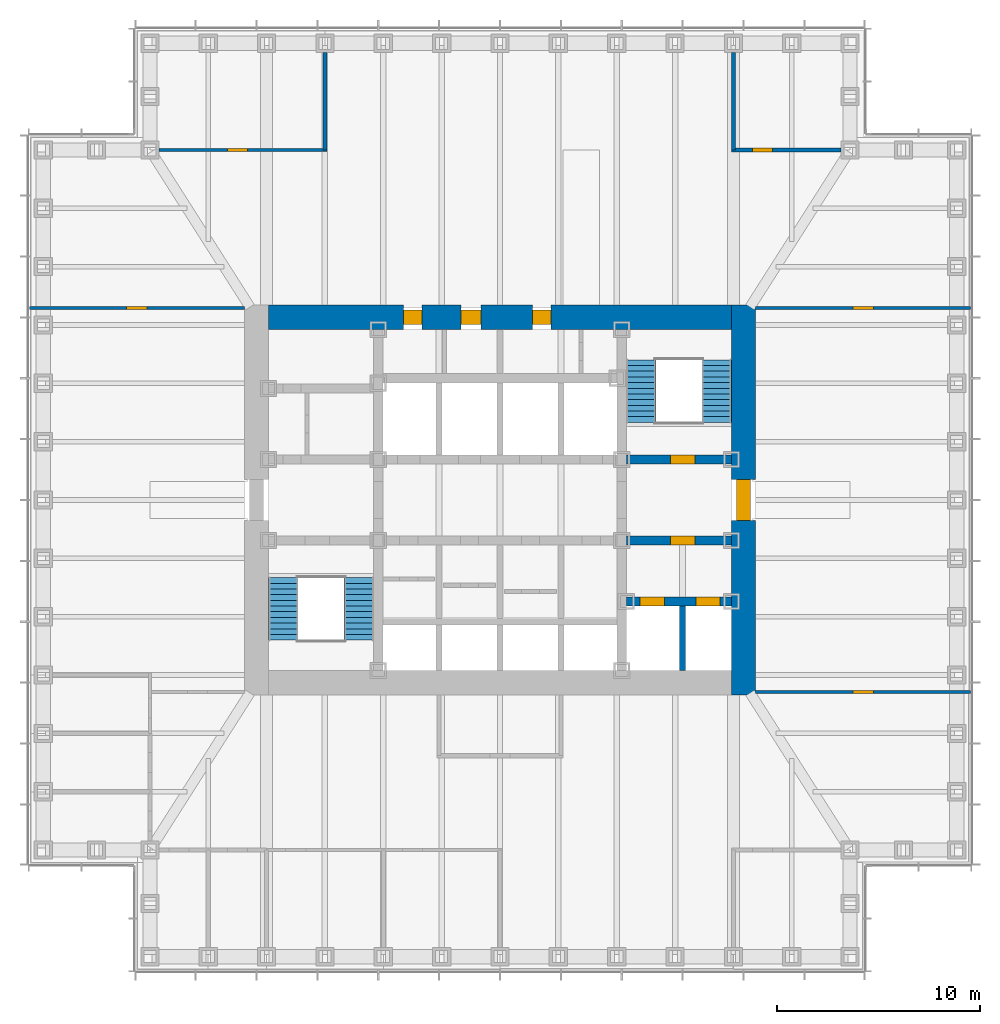
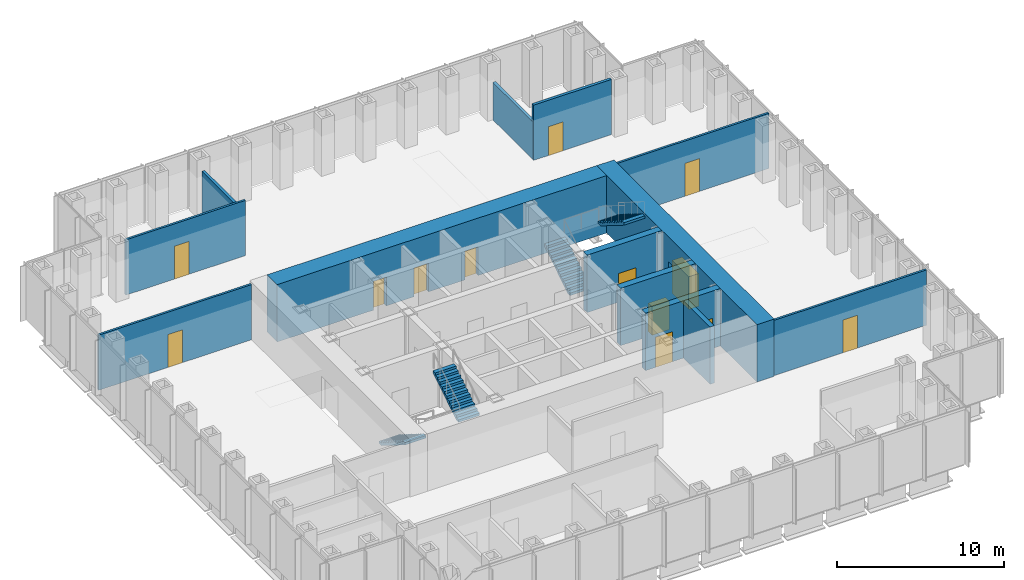
# One storey, part 10 of 16: 13 doors, 13 walls, 4 stair flights, 13 openings, 2 elements without a shape of their own.
"""IFC4 building model written with IfcOpenShell, lengths in metres."""

import ifcopenshell
import ifcopenshell.guid

model = None  # the IFC model being written
_history = None  # IfcOwnerHistory: only IFC2X3 demands one
_inside = {}  # id of a spatial element -> (the spatial element, [elements in it])
_under = {}  # id of a project, library or spatial element -> (it, [spatial elements below it])
_declared = {}  # id of a project -> (the project, [libraries it declares])
_typed = {}  # id of a type object -> (the type object, [elements of that type])
_made_of = {}  # id of a material, layer set ... -> (it, [elements and type objects made of it])


def new_model(schema):
    """Start an empty IFC model of exactly this schema.

    Asked for "IFC4X3", IfcOpenShell would pick the latest addendum, in which some entities
    have other attributes; the version numbers below select the first issue.
    IFC2X3 requires an IfcOwnerHistory on every rooted entity: one is made here for all.
    """
    global model, _history
    if schema == "IFC4X3":
        model = ifcopenshell.file(schema_version=(4, 3, 0, 0))
    else:
        model = ifcopenshell.file(schema=schema)
    _inside.clear()
    _under.clear()
    _declared.clear()
    _typed.clear()
    _made_of.clear()
    _history = None
    if model.schema == "IFC2X3":
        org = make("IfcOrganization", Name="unknown")
        user = make(
            "IfcPersonAndOrganization",
            ThePerson=make("IfcPerson", FamilyName="unknown"),
            TheOrganization=org,
        )
        app = make(
            "IfcApplication",
            ApplicationDeveloper=org,
            Version="unknown",
            ApplicationFullName="unknown",
            ApplicationIdentifier="unknown",
        )
        _history = make(
            "IfcOwnerHistory",
            OwningUser=user,
            OwningApplication=app,
            ChangeAction="ADDED",
            CreationDate=0,
        )
    return model


def make(cls, **values):
    """One entity of the class cls with the attributes given. An attribute that is None is left unset."""
    return model.create_entity(
        cls, **{name: value for name, value in values.items() if value is not None}
    )


def rooted(cls, **values):
    """An entity with a GlobalId (a new one), such as an element, a storey or a relation."""
    return make(cls, GlobalId=ifcopenshell.guid.new(), OwnerHistory=_history, **values)


def si_unit(unit_type, name, prefix=None):
    """IfcSIUnit, for example si_unit("LENGTHUNIT", "METRE", prefix="MILLI")."""
    return make("IfcSIUnit", UnitType=unit_type, Prefix=prefix, Name=name)


def assignment(units):
    """IfcUnitAssignment: the units of a project."""
    return None if units is None else make("IfcUnitAssignment", Units=units)


def point(xyz):
    """IfcCartesianPoint."""
    return None if xyz is None else make("IfcCartesianPoint", Coordinates=xyz)


def direction(xyz):
    """IfcDirection."""
    return None if xyz is None else make("IfcDirection", DirectionRatios=xyz)


def frame(location, z_axis=None, x_axis=None):
    """IfcAxis2Placement3D, a coordinate frame: its origin and axes. An axis left out is left unset."""
    return make(
        "IfcAxis2Placement3D",
        Location=point(location),
        Axis=direction(z_axis),
        RefDirection=direction(x_axis),
    )


def frame_2d(location, x_axis=None):
    """IfcAxis2Placement2D, a coordinate frame in the plane: its origin and x axis."""
    return make(
        "IfcAxis2Placement2D", Location=point(location), RefDirection=direction(x_axis)
    )


def origin():
    """The frame at (0, 0, 0) with its axes left unset."""
    return frame((0.0, 0.0, 0.0))


def place(relative_to, where):
    """IfcLocalPlacement: puts the frame where relative to a parent placement (None: the world)."""
    return make(
        "IfcLocalPlacement", PlacementRelTo=relative_to, RelativePlacement=where
    )


def context(
    kind, dimensions, precision=None, world=None, true_north=None, identifier=None
):
    """IfcGeometricRepresentationContext, for example the 3D "Model" context."""
    return make(
        "IfcGeometricRepresentationContext",
        ContextIdentifier=identifier,
        ContextType=kind,
        CoordinateSpaceDimension=dimensions,
        Precision=precision,
        WorldCoordinateSystem=world,
        TrueNorth=true_north,
    )


def subcontext(parent, identifier, kind, view, scale=None):
    """IfcGeometricRepresentationSubContext, for example "Body" below "Model"."""
    return make(
        "IfcGeometricRepresentationSubContext",
        ContextIdentifier=identifier,
        ContextType=kind,
        ParentContext=parent,
        TargetScale=scale,
        TargetView=view,
    )


def project(units=None, contexts=None):
    """IfcProject with its units and contexts."""
    return rooted(
        "IfcProject",
        Name="project",
        RepresentationContexts=contexts,
        UnitsInContext=assignment(units),
    )


def spatial(cls, under=None, at=None, **own):
    """A site, building, storey or space (cls), placed at a placement, below another one or the project."""
    s = rooted(cls, ObjectPlacement=at, **own)
    if under is not None:
        _under.setdefault(under.id(), (under, []))[1].append(s)
    return s


def polyline(points):
    """IfcPolyline through the points."""
    return make("IfcPolyline", Points=[point(p) for p in points])


def profile(cls, at=None, kind="AREA", **sizes):
    """A parametric profile (cls). Its sizes go by their IFC names, for example OverallWidth=200.0."""
    return make(cls, ProfileType=kind, Position=at, **sizes)


def rectangle(**sizes):
    """IfcRectangleProfileDef."""
    return profile("IfcRectangleProfileDef", **sizes)


def outline(outer, holes=None, kind="AREA"):
    """IfcArbitraryClosedProfileDef: a profile drawn as a closed curve; with holes, ...WithVoids."""
    if holes is None:
        return make("IfcArbitraryClosedProfileDef", ProfileType=kind, OuterCurve=outer)
    return make(
        "IfcArbitraryProfileDefWithVoids",
        ProfileType=kind,
        OuterCurve=outer,
        InnerCurves=holes,
    )


def extrude(swept, where, along, depth):
    """IfcExtrudedAreaSolid: the profile swept, set in the frame where, extruded along a direction by depth."""
    return make(
        "IfcExtrudedAreaSolid",
        SweptArea=swept,
        Position=where,
        ExtrudedDirection=direction(along),
        Depth=depth,
    )


def shape(context_of_items, identifier, shape_type, items):
    """IfcShapeRepresentation: the items that make up one representation, for example the "Body"."""
    return make(
        "IfcShapeRepresentation",
        ContextOfItems=context_of_items,
        RepresentationIdentifier=identifier,
        RepresentationType=shape_type,
        Items=items,
    )


def material(Name=None, Category=None):
    """IfcMaterial."""
    return make("IfcMaterial", Name=Name, Category=Category)


def layer(
    of_material, thickness, ventilated=None, Name=None, Category=None, Priority=None
):
    """IfcMaterialLayer: one layer of a wall or slab, of a material (None: an air gap)."""
    return make(
        "IfcMaterialLayer",
        Material=of_material,
        LayerThickness=thickness,
        IsVentilated=ventilated,
        Name=Name,
        Category=Category,
        Priority=Priority,
    )


def layer_set(layers, Name=None):
    """IfcMaterialLayerSet."""
    return make("IfcMaterialLayerSet", MaterialLayers=layers, LayerSetName=Name)


def made_of(thing, what):
    """Note that an element or type object is made of a material, layer set ...; save() writes the relation."""
    if what is not None:
        _made_of.setdefault(what.id(), (what, []))[1].append(thing)
    return thing


def type_object(cls, material=None, **own):
    """A type object (cls), such as IfcWallType, which elements share."""
    return made_of(rooted(cls, **own), material)


def element(
    cls,
    number,
    at=None,
    inside=None,
    cuts=None,
    type_object=None,
    material=None,
    context=None,
    identifier="Body",
    shape_type=None,
    held_by="IfcProductDefinitionShape",
    body=None,
    shapes=None,
    **own,
):
    """One element of the class cls, such as IfcWall. Its Tag is "e" and its number.

    at: its placement. inside: the storey or other place that contains it. cuts: it is an
    opening in that element (IfcRelVoidsElement). A single representation is given by context,
    identifier, shape_type and body (its items); several are given by shapes. held_by: the class
    of the entity that holds the representations. save() writes the other relations.
    """
    e = rooted(cls, Tag="e%d" % number, ObjectPlacement=at, **own)
    if body is not None:
        shapes = [shape(context, identifier, shape_type, body)]
    if shapes is not None:
        e.Representation = make(held_by, Representations=shapes)
    if inside is not None:
        _inside.setdefault(inside.id(), (inside, []))[1].append(e)
    if cuts is not None:
        rooted(
            "IfcRelVoidsElement", RelatingBuildingElement=cuts, RelatedOpeningElement=e
        )
    if type_object is not None:
        _typed.setdefault(type_object.id(), (type_object, []))[1].append(e)
    return made_of(e, material)


def fill(opening, filler):
    """IfcRelFillsElement: the door or window that sits in an opening."""
    return rooted(
        "IfcRelFillsElement",
        RelatingOpeningElement=opening,
        RelatedBuildingElement=filler,
    )


def aggregate(whole, parts):
    """IfcRelAggregates: a whole, such as a stair, and the parts it consists of."""
    return rooted("IfcRelAggregates", RelatingObject=whole, RelatedObjects=parts)


def save(model, path):
    """Write the relations noted so far, then the file.

    IfcRelAggregates (storeys below a building ...), IfcRelContainedInSpatialStructure (elements
    in a storey), IfcRelDefinesByType, IfcRelAssociatesMaterial and IfcRelDeclares: one each for
    every whole, place, type object, material and project.
    """
    for whole, parts in _under.values():
        aggregate(whole, parts)
    for where, things in _inside.values():
        rooted(
            "IfcRelContainedInSpatialStructure",
            RelatedElements=things,
            RelatingStructure=where,
        )
    for kind, things in _typed.values():
        rooted("IfcRelDefinesByType", RelatedObjects=things, RelatingType=kind)
    for what, things in _made_of.values():
        rooted("IfcRelAssociatesMaterial", RelatedObjects=things, RelatingMaterial=what)
    for by, libraries in _declared.values():
        rooted("IfcRelDeclares", RelatingContext=by, RelatedDefinitions=libraries)
    model.write(path)


model = new_model("IFC4")

# Units and contexts
model_context = context("Model", 3, precision=1e-05, world=origin(), true_north=direction((0.0, 1.0)))
body_context = subcontext(model_context, "Body", "Model", "MODEL_VIEW")
ifc_project = project(units=[si_unit("LENGTHUNIT", "METRE"), si_unit("AREAUNIT", "SQUARE_METRE"), si_unit("VOLUMEUNIT", "CUBIC_METRE"), si_unit("PLANEANGLEUNIT", "RADIAN"), si_unit("MASSUNIT", "GRAM", prefix="KILO")], contexts=[model_context])

# Site, building, storey
site_placement = place(None, origin())
site = spatial("IfcSite", under=ifc_project, at=site_placement, CompositionType="ELEMENT")
building_placement = place(site_placement, origin())
building = spatial("IfcBuilding", under=site, at=building_placement, Name="Daluyong Arena Tower", CompositionType="ELEMENT")
storey_placement = place(building_placement, frame((0.0, 0.0, 120.699951171875)))
storey = spatial("IfcBuildingStorey", under=building, at=storey_placement, Name="L26", CompositionType="ELEMENT", Elevation=120.699951171875)

# Wall, openings, doors
ifc_material_1 = material(Name="Concrete fc' 45 MPa", Category="concrete")
ifc_layer_1 = layer(ifc_material_1, 0.449951171875)
ifc_layer_set_1 = layer_set([ifc_layer_1], Name="Concrete fc' 45 MPa")
wall_type_1 = type_object("IfcWallType", Name="Core inner wall 450", PredefinedType="SHEAR", material=ifc_layer_set_1)
wall_1_placement = place(storey_placement, frame((62.22509765625, 75.0, 0.0), z_axis=(0.0, 0.0, 1.0), x_axis=(1.0, 0.0, 0.0)))
wall_1 = element("IfcWall", 1, at=wall_1_placement, inside=storey, type_object=wall_type_1, Name="core inner wall at L26", PredefinedType="SHEAR", context=body_context, shape_type="SweptSolid", body=[
    extrude(rectangle(XDim=5.1748046875, YDim=0.449951171875, at=frame_2d((2.58740234375, 0.0))), origin(), (0.0, 0.0, 1.0), 4.199951171875),
])
opening_1_placement = place(wall_1_placement, frame((0.675048828125, 0.0, 0.0)))
opening_1 = element("IfcOpeningElement", 2, at=opening_1_placement, cuts=wall_1, Name="Opening 26026", PredefinedType="OPENING", context=body_context, shape_type="SweptSolid", body=[
    extrude(rectangle(XDim=1.199951171875, YDim=2.199951171875, at=frame_2d((0.60009765625, 1.10009765625))), frame((0.0, 0.23486328125, 0.0), z_axis=(0.0, -1.0, 0.0), x_axis=(1.0, 0.0, 0.0)), (0.0, 0.0, 1.0), 0.469970703125),
])
opening_2_placement = place(wall_1_placement, frame((3.425048828125, 0.0, 0.0)))
opening_2 = element("IfcOpeningElement", 3, at=opening_2_placement, cuts=wall_1, Name="Opening 26027", PredefinedType="OPENING", context=body_context, shape_type="SweptSolid", body=[
    extrude(rectangle(XDim=1.199951171875, YDim=2.199951171875, at=frame_2d((0.60009765625, 1.10009765625))), frame((0.0, 0.23486328125, 0.0), z_axis=(0.0, -1.0, 0.0), x_axis=(1.0, 0.0, 0.0)), (0.0, 0.0, 1.0), 0.469970703125),
])
ifc_material_2 = material(Name="Steel door, fire rated", Category="steel")
door_type_1 = type_object("IfcDoorType", Name="Firefighting lift landing door 1200", OperationType="SLIDING_TO_LEFT", PredefinedType="DOOR", material=ifc_material_2)
door_1_placement = place(opening_1_placement, origin())
door_1 = element("IfcDoor", 4, at=door_1_placement, inside=storey, type_object=door_type_1, Name="firefighting lift landing door F1 26026", OperationType="SLIDING_TO_LEFT", OverallHeight=2.199951171875, OverallWidth=1.199951171875, PredefinedType="DOOR", context=body_context, shape_type="SweptSolid", body=[
    extrude(rectangle(XDim=1.199951171875, YDim=2.199951171875, at=frame_2d((0.60009765625, 1.10009765625))), frame((0.0, 0.224609375, 0.0), z_axis=(0.0, -1.0, 0.0), x_axis=(1.0, 0.0, 0.0)), (0.0, 0.0, 1.0), 0.449462890625),
])
fill(opening_1, door_1)
door_2_placement = place(opening_2_placement, origin())
door_2 = element("IfcDoor", 5, at=door_2_placement, inside=storey, type_object=door_type_1, Name="firefighting lift landing door F2 26027", OperationType="SLIDING_TO_LEFT", OverallHeight=2.199951171875, OverallWidth=1.199951171875, PredefinedType="DOOR", context=body_context, shape_type="SweptSolid", body=[
    extrude(rectangle(XDim=1.199951171875, YDim=2.199951171875, at=frame_2d((0.60009765625, 1.10009765625))), frame((0.0, 0.224609375, 0.0), z_axis=(0.0, -1.0, 0.0), x_axis=(1.0, 0.0, 0.0)), (0.0, 0.0, 1.0), 0.449462890625),
])
fill(opening_2, door_2)

# Wall, opening, door
wall_2_placement = place(storey_placement, frame((62.22509765625, 78.0, 0.0), z_axis=(0.0, 0.0, 1.0), x_axis=(1.0, 0.0, 0.0)))
wall_2 = element("IfcWall", 6, at=wall_2_placement, inside=storey, type_object=wall_type_1, Name="core inner wall at L26", PredefinedType="SHEAR", context=body_context, shape_type="SweptSolid", body=[
    extrude(rectangle(XDim=5.1748046875, YDim=0.449951171875, at=frame_2d((2.58740234375, 0.0))), origin(), (0.0, 0.0, 1.0), 4.199951171875),
])
opening_3_placement = place(wall_2_placement, frame((2.175048828125, 0.0, 0.0)))
opening_3 = element("IfcOpeningElement", 7, at=opening_3_placement, cuts=wall_2, Name="Opening 26021", PredefinedType="OPENING", context=body_context, shape_type="SweptSolid", body=[
    extrude(rectangle(XDim=1.199951171875, YDim=2.10009765625, at=frame_2d((0.60009765625, 1.050048828125))), frame((0.0, 0.23486328125, 0.0), z_axis=(0.0, -1.0, 0.0), x_axis=(1.0, 0.0, 0.0)), (0.0, 0.0, 1.0), 0.469970703125),
])
ifc_material_3 = material(Name="Steel door, fire rated", Category="steel")
door_type_2 = type_object("IfcDoorType", Name="Firefighting lobby door 1200", OperationType="SINGLE_SWING_RIGHT", PredefinedType="DOOR", material=ifc_material_3)
door_3_placement = place(opening_3_placement, origin())
door_3 = element("IfcDoor", 8, at=door_3_placement, inside=storey, type_object=door_type_2, Name="firefighting lobby door 26021", OperationType="SINGLE_SWING_RIGHT", OverallHeight=2.10009765625, OverallWidth=1.199951171875, PredefinedType="DOOR", context=body_context, shape_type="SweptSolid", body=[
    extrude(rectangle(XDim=1.199951171875, YDim=2.10009765625, at=frame_2d((0.60009765625, 1.050048828125))), frame((0.0, 0.224609375, 0.0), z_axis=(0.0, -1.0, 0.0), x_axis=(1.0, 0.0, 0.0)), (0.0, 0.0, 1.0), 0.449462890625),
])
fill(opening_3, door_3)

wall_3_placement = place(storey_placement, frame((62.22509765625, 82.0, 0.0), z_axis=(0.0, 0.0, 1.0), x_axis=(1.0, 0.0, 0.0)))
wall_3 = element("IfcWall", 9, at=wall_3_placement, inside=storey, type_object=wall_type_1, Name="core inner wall at L26", PredefinedType="SHEAR", context=body_context, shape_type="SweptSolid", body=[
    extrude(rectangle(XDim=5.1748046875, YDim=0.449951171875, at=frame_2d((2.58740234375, 0.0))), origin(), (0.0, 0.0, 1.0), 4.199951171875),
])
opening_4_placement = place(wall_3_placement, frame((2.175048828125, 0.0, 0.0)))
opening_4 = element("IfcOpeningElement", 10, at=opening_4_placement, cuts=wall_3, Name="Opening 26016", PredefinedType="OPENING", context=body_context, shape_type="SweptSolid", body=[
    extrude(rectangle(XDim=1.199951171875, YDim=2.10009765625, at=frame_2d((0.60009765625, 1.050048828125))), frame((0.0, 0.23486328125, 0.0), z_axis=(0.0, -1.0, 0.0), x_axis=(1.0, 0.0, 0.0)), (0.0, 0.0, 1.0), 0.469970703125),
])
ifc_material_4 = material(Name="Steel door, fire rated", Category="steel")
door_type_3 = type_object("IfcDoorType", Name="Stair door 1200", OperationType="SINGLE_SWING_LEFT", PredefinedType="DOOR", material=ifc_material_4)
door_4_placement = place(opening_4_placement, origin())
door_4 = element("IfcDoor", 11, at=door_4_placement, inside=storey, type_object=door_type_3, Name="stair B door 26016", OperationType="SINGLE_SWING_LEFT", OverallHeight=2.10009765625, OverallWidth=1.199951171875, PredefinedType="DOOR", context=body_context, shape_type="SweptSolid", body=[
    extrude(rectangle(XDim=1.199951171875, YDim=2.10009765625, at=frame_2d((0.60009765625, 1.050048828125))), frame((0.0, 0.224609375, 0.0), z_axis=(0.0, -1.0, 0.0), x_axis=(1.0, 0.0, 0.0)), (0.0, 0.0, 1.0), 0.449462890625),
])
fill(opening_4, door_4)

ifc_material_5 = material(Name="Concrete fc' 60 MPa", Category="concrete")
ifc_layer_2 = layer(ifc_material_5, 1.199951171875)
ifc_layer_set_2 = layer_set([ifc_layer_2], Name="Concrete fc' 60 MPa")
wall_type_2 = type_object("IfcWallType", Name="Core wall 1200", PredefinedType="SHEAR", material=ifc_layer_set_2)
wall_4_placement = place(storey_placement, frame((68.0, 70.39990234375, 0.0), z_axis=(0.0, 0.0, 1.0), x_axis=(0.0, 1.0, 0.0)))
wall_4 = element("IfcWall", 12, at=wall_4_placement, inside=storey, type_object=wall_type_2, Name="core wall at L26", PredefinedType="SHEAR", context=body_context, shape_type="SweptSolid", body=[
    extrude(rectangle(XDim=19.2001953125, YDim=1.199951171875, at=frame_2d((9.60009765625, 0.0))), origin(), (0.0, 0.0, 1.0), 4.199951171875),
])
opening_5_placement = place(wall_4_placement, frame((8.60009765625, 0.0, 0.0)))
opening_5 = element("IfcOpeningElement", 13, at=opening_5_placement, cuts=wall_4, Name="Opening 26018", PredefinedType="OPENING", context=body_context, shape_type="SweptSolid", body=[
    extrude(rectangle(XDim=2.0, YDim=2.39990234375, at=frame_2d((1.0, 1.199951171875))), frame((0.0, 0.60986328125, 0.0), z_axis=(0.0, -1.0, 0.0), x_axis=(1.0, 0.0, 0.0)), (0.0, 0.0, 1.0), 1.219970703125),
])
ifc_material_6 = material(Name="Steel door, fire rated", Category="steel")
door_type_4 = type_object("IfcDoorType", Name="Core lobby double door 2000", OperationType="DOUBLE_DOOR_SINGLE_SWING", PredefinedType="DOOR", material=ifc_material_6)
door_5_placement = place(opening_5_placement, origin())
door_5 = element("IfcDoor", 14, at=door_5_placement, inside=storey, type_object=door_type_4, Name="core lobby door east 26018", OperationType="DOUBLE_DOOR_SINGLE_SWING", OverallHeight=2.39990234375, OverallWidth=2.0, PredefinedType="DOOR", context=body_context, shape_type="SweptSolid", body=[
    extrude(rectangle(XDim=2.0, YDim=2.39990234375, at=frame_2d((1.0, 1.199951171875))), frame((0.0, 0.35009765625, 0.0), z_axis=(0.0, -1.0, 0.0), x_axis=(1.0, 0.0, 0.0)), (0.0, 0.0, 1.0), 0.699951171875),
])
fill(opening_5, door_5)

# Wall, openings, doors
wall_5_placement = place(storey_placement, frame((44.60009765625, 89.0, 0.0), z_axis=(0.0, 0.0, 1.0), x_axis=(1.0, 0.0, 0.0)))
wall_5 = element("IfcWall", 15, at=wall_5_placement, inside=storey, type_object=wall_type_2, Name="core wall at L26", PredefinedType="SHEAR", context=body_context, shape_type="SweptSolid", body=[
    extrude(rectangle(XDim=22.7998046875, YDim=1.199951171875, at=frame_2d((11.39990234375, 0.0))), origin(), (0.0, 0.0, 1.0), 4.199951171875),
])
opening_6_placement = place(wall_5_placement, frame((9.47509765625, 0.0, 0.0)))
opening_6 = element("IfcOpeningElement", 16, at=opening_6_placement, cuts=wall_5, Name="Opening 26004", PredefinedType="OPENING", context=body_context, shape_type="SweptSolid", body=[
    extrude(rectangle(XDim=1.0, YDim=2.10009765625, at=frame_2d((0.5, 1.050048828125))), frame((0.0, 0.60986328125, 0.0), z_axis=(0.0, -1.0, 0.0), x_axis=(1.0, 0.0, 0.0)), (0.0, 0.0, 1.0), 1.219970703125),
])
opening_7_placement = place(wall_5_placement, frame((6.64990234375, 0.0, 0.0)))
opening_7 = element("IfcOpeningElement", 17, at=opening_7_placement, cuts=wall_5, Name="Opening 26005", PredefinedType="OPENING", context=body_context, shape_type="SweptSolid", body=[
    extrude(rectangle(XDim=0.89990234375, YDim=2.10009765625, at=frame_2d((0.449951171875, 1.050048828125))), frame((0.0, 0.60986328125, 0.0), z_axis=(0.0, -1.0, 0.0), x_axis=(1.0, 0.0, 0.0)), (0.0, 0.0, 1.0), 1.219970703125),
])
opening_8_placement = place(wall_5_placement, frame((13.012451171875, 0.0, 0.0)))
opening_8 = element("IfcOpeningElement", 18, at=opening_8_placement, cuts=wall_5, Name="Opening 26006", PredefinedType="OPENING", context=body_context, shape_type="SweptSolid", body=[
    extrude(rectangle(XDim=0.89990234375, YDim=2.10009765625, at=frame_2d((0.449951171875, 1.050048828125))), frame((0.0, 0.60986328125, 0.0), z_axis=(0.0, -1.0, 0.0), x_axis=(1.0, 0.0, 0.0)), (0.0, 0.0, 1.0), 1.219970703125),
])
ifc_material_7 = material(Name="Timber door", Category="wood")
door_type_5 = type_object("IfcDoorType", Name="Accessible toilet door 1000", OperationType="SINGLE_SWING_LEFT", PredefinedType="DOOR", material=ifc_material_7)
door_6_placement = place(opening_6_placement, origin())
door_6 = element("IfcDoor", 19, at=door_6_placement, inside=storey, type_object=door_type_5, Name="accessible toilet door 26004", OperationType="SINGLE_SWING_LEFT", OverallHeight=2.10009765625, OverallWidth=1.0, PredefinedType="DOOR", context=body_context, shape_type="SweptSolid", body=[
    extrude(rectangle(XDim=1.0, YDim=2.10009765625, at=frame_2d((0.5, 1.050048828125))), frame((0.0, 0.35009765625, 0.0), z_axis=(0.0, -1.0, 0.0), x_axis=(1.0, 0.0, 0.0)), (0.0, 0.0, 1.0), 0.699951171875),
])
fill(opening_6, door_6)
ifc_material_8 = material(Name="Steel door, fire rated", Category="steel")
door_type_6 = type_object("IfcDoorType", Name="Core room door 900", OperationType="SINGLE_SWING_LEFT", PredefinedType="DOOR", material=ifc_material_8)
door_7_placement = place(opening_7_placement, origin())
door_7 = element("IfcDoor", 20, at=door_7_placement, inside=storey, type_object=door_type_6, Name="staff pantry door 26005", OperationType="SINGLE_SWING_LEFT", OverallHeight=2.10009765625, OverallWidth=0.89990234375, PredefinedType="DOOR", context=body_context, shape_type="SweptSolid", body=[
    extrude(rectangle(XDim=0.89990234375, YDim=2.10009765625, at=frame_2d((0.449951171875, 1.050048828125))), frame((0.0, 0.35009765625, 0.0), z_axis=(0.0, -1.0, 0.0), x_axis=(1.0, 0.0, 0.0)), (0.0, 0.0, 1.0), 0.699951171875),
])
fill(opening_7, door_7)
ifc_material_9 = material(Name="Steel door, fire rated", Category="steel")
door_type_7 = type_object("IfcDoorType", Name="Core store door 900", OperationType="SINGLE_SWING_LEFT", PredefinedType="DOOR", material=ifc_material_9)
door_8_placement = place(opening_8_placement, origin())
door_8 = element("IfcDoor", 21, at=door_8_placement, inside=storey, type_object=door_type_7, Name="cleaner's store door 26006", OperationType="SINGLE_SWING_LEFT", OverallHeight=2.10009765625, OverallWidth=0.89990234375, PredefinedType="DOOR", context=body_context, shape_type="SweptSolid", body=[
    extrude(rectangle(XDim=0.89990234375, YDim=2.10009765625, at=frame_2d((0.449951171875, 1.050048828125))), frame((0.0, 0.35009765625, 0.0), z_axis=(0.0, -1.0, 0.0), x_axis=(1.0, 0.0, 0.0)), (0.0, 0.0, 1.0), 0.699951171875),
])
fill(opening_8, door_8)

# Wall, opening, door
ifc_material_10 = material(Name="Glazed aluminium partition", Category="aluminium")
ifc_layer_3 = layer(ifc_material_10, 0.14990234375)
ifc_layer_set_3 = layer_set([ifc_layer_3], Name="Glazed aluminium partition")
wall_type_3 = type_object("IfcWallType", Name="Glazed partition 150", PredefinedType="PARTITIONING", material=ifc_layer_set_3)
wall_6_placement = place(storey_placement, frame((68.60009765625, 70.550048828125, 0.0), z_axis=(0.0, 0.0, 1.0), x_axis=(1.0, 0.0, 0.0)))
wall_6 = element("IfcWall", 22, at=wall_6_placement, inside=storey, type_object=wall_type_3, Name="glazed partition at L26", PredefinedType="PARTITIONING", context=body_context, shape_type="SweptSolid", body=[
    extrude(rectangle(XDim=10.58984375, YDim=0.14990234375, at=frame_2d((5.294921875, 0.0))), origin(), (0.0, 0.0, 1.0), 4.0400390625),
])
opening_9_placement = place(wall_6_placement, frame((4.794921875, 0.0, 0.0)))
opening_9 = element("IfcOpeningElement", 23, at=opening_9_placement, cuts=wall_6, Name="Opening 26041", PredefinedType="OPENING", context=body_context, shape_type="SweptSolid", body=[
    extrude(rectangle(XDim=1.0, YDim=2.39990234375, at=frame_2d((0.5, 1.199951171875))), frame((0.0, 0.0849609375, 0.0), z_axis=(0.0, -1.0, 0.0), x_axis=(1.0, 0.0, 0.0)), (0.0, 0.0, 1.0), 0.169921875),
])
ifc_material_11 = material(Name="Glazed aluminium door", Category="aluminium")
door_type_8 = type_object("IfcDoorType", Name="Meeting room glazed door 1000", OperationType="SINGLE_SWING_RIGHT", PredefinedType="DOOR", material=ifc_material_11)
door_9_placement = place(opening_9_placement, origin())
door_9 = element("IfcDoor", 24, at=door_9_placement, inside=storey, type_object=door_type_8, Name="team area screen door 26041", OperationType="SINGLE_SWING_RIGHT", OverallHeight=2.39990234375, OverallWidth=1.0, PredefinedType="DOOR", context=body_context, shape_type="SweptSolid", body=[
    extrude(rectangle(XDim=1.0, YDim=2.39990234375, at=frame_2d((0.5, 1.199951171875))), frame((0.0, 0.07470703125, 0.0), z_axis=(0.0, -1.0, 0.0), x_axis=(1.0, 0.0, 0.0)), (0.0, 0.0, 1.0), 0.1494140625),
])
fill(opening_9, door_9)

wall_7_placement = place(storey_placement, frame((32.81005859375, 89.449951171875, 0.0), z_axis=(0.0, 0.0, 1.0), x_axis=(1.0, 0.0, 0.0)))
wall_7 = element("IfcWall", 25, at=wall_7_placement, inside=storey, type_object=wall_type_3, Name="glazed partition at L26", PredefinedType="PARTITIONING", context=body_context, shape_type="SweptSolid", body=[
    extrude(rectangle(XDim=10.58984375, YDim=0.14990234375, at=frame_2d((5.294921875, 0.0))), origin(), (0.0, 0.0, 1.0), 4.0400390625),
])
opening_10_placement = place(wall_7_placement, frame((4.794921875, 0.0, 0.0)))
opening_10 = element("IfcOpeningElement", 26, at=opening_10_placement, cuts=wall_7, Name="Opening 26040", PredefinedType="OPENING", context=body_context, shape_type="SweptSolid", body=[
    extrude(rectangle(XDim=1.0, YDim=2.39990234375, at=frame_2d((0.5, 1.199951171875))), frame((0.0, 0.0849609375, 0.0), z_axis=(0.0, -1.0, 0.0), x_axis=(1.0, 0.0, 0.0)), (0.0, 0.0, 1.0), 0.169921875),
])
door_10_placement = place(opening_10_placement, origin())
door_10 = element("IfcDoor", 27, at=door_10_placement, inside=storey, type_object=door_type_8, Name="team area screen door 26040", OperationType="SINGLE_SWING_RIGHT", OverallHeight=2.39990234375, OverallWidth=1.0, PredefinedType="DOOR", context=body_context, shape_type="SweptSolid", body=[
    extrude(rectangle(XDim=1.0, YDim=2.39990234375, at=frame_2d((0.5, 1.199951171875))), frame((0.0, 0.07470703125, 0.0), z_axis=(0.0, -1.0, 0.0), x_axis=(1.0, 0.0, 0.0)), (0.0, 0.0, 1.0), 0.1494140625),
])
fill(opening_10, door_10)

wall_8_placement = place(storey_placement, frame((68.60009765625, 89.449951171875, 0.0), z_axis=(0.0, 0.0, 1.0), x_axis=(1.0, 0.0, 0.0)))
wall_8 = element("IfcWall", 28, at=wall_8_placement, inside=storey, type_object=wall_type_3, Name="glazed partition at L26", PredefinedType="PARTITIONING", context=body_context, shape_type="SweptSolid", body=[
    extrude(rectangle(XDim=10.58984375, YDim=0.14990234375, at=frame_2d((5.294921875, 0.0))), origin(), (0.0, 0.0, 1.0), 4.0400390625),
])
opening_11_placement = place(wall_8_placement, frame((4.794921875, 0.0, 0.0)))
opening_11 = element("IfcOpeningElement", 29, at=opening_11_placement, cuts=wall_8, Name="Opening 26042", PredefinedType="OPENING", context=body_context, shape_type="SweptSolid", body=[
    extrude(rectangle(XDim=1.0, YDim=2.39990234375, at=frame_2d((0.5, 1.199951171875))), frame((0.0, 0.0849609375, 0.0), z_axis=(0.0, -1.0, 0.0), x_axis=(1.0, 0.0, 0.0)), (0.0, 0.0, 1.0), 0.169921875),
])
door_11_placement = place(opening_11_placement, origin())
door_11 = element("IfcDoor", 30, at=door_11_placement, inside=storey, type_object=door_type_8, Name="team area screen door 26042", OperationType="SINGLE_SWING_RIGHT", OverallHeight=2.39990234375, OverallWidth=1.0, PredefinedType="DOOR", context=body_context, shape_type="SweptSolid", body=[
    extrude(rectangle(XDim=1.0, YDim=2.39990234375, at=frame_2d((0.5, 1.199951171875))), frame((0.0, 0.07470703125, 0.0), z_axis=(0.0, -1.0, 0.0), x_axis=(1.0, 0.0, 0.0)), (0.0, 0.0, 1.0), 0.1494140625),
])
fill(opening_11, door_11)

wall_9_placement = place(storey_placement, frame((39.199951171875, 97.25, 0.0), z_axis=(0.0, 0.0, 1.0), x_axis=(1.0, 0.0, 0.0)))
wall_9 = element("IfcWall", 31, at=wall_9_placement, inside=storey, type_object=wall_type_3, Name="glazed partition at L26", PredefinedType="PARTITIONING", context=body_context, shape_type="SweptSolid", body=[
    extrude(rectangle(XDim=8.275146484375, YDim=0.14990234375, at=frame_2d((4.1376953125, 0.0))), origin(), (0.0, 0.0, 1.0), 4.0400390625),
])
opening_12_placement = place(wall_9_placement, frame((3.362548828125, 0.0, 0.0)))
opening_12 = element("IfcOpeningElement", 32, at=opening_12_placement, cuts=wall_9, Name="Opening 26033", PredefinedType="OPENING", context=body_context, shape_type="SweptSolid", body=[
    extrude(rectangle(XDim=1.0, YDim=2.39990234375, at=frame_2d((0.5, 1.199951171875))), frame((0.0, 0.0849609375, 0.0), z_axis=(0.0, -1.0, 0.0), x_axis=(1.0, 0.0, 0.0)), (0.0, 0.0, 1.0), 0.169921875),
])
door_12_placement = place(opening_12_placement, origin())
door_12 = element("IfcDoor", 33, at=door_12_placement, inside=storey, type_object=door_type_8, Name="meeting room door 26033", OperationType="SINGLE_SWING_RIGHT", OverallHeight=2.39990234375, OverallWidth=1.0, PredefinedType="DOOR", context=body_context, shape_type="SweptSolid", body=[
    extrude(rectangle(XDim=1.0, YDim=2.39990234375, at=frame_2d((0.5, 1.199951171875))), frame((0.0, 0.07470703125, 0.0), z_axis=(0.0, -1.0, 0.0), x_axis=(1.0, 0.0, 0.0)), (0.0, 0.0, 1.0), 0.1494140625),
])
fill(opening_12, door_12)

# Walls
ifc_material_12 = material(Name="Concrete fc' 45 MPa", Category="concrete")
ifc_layer_4 = layer(ifc_material_12, 0.300048828125)
ifc_layer_set_4 = layer_set([ifc_layer_4], Name="Concrete fc' 45 MPa")
wall_type_4 = type_object("IfcWallType", Name="Lift shaft wall 300", PredefinedType="SHEAR", material=ifc_layer_set_4)
wall_10_placement = place(storey_placement, frame((65.0, 71.60009765625, 0.0), z_axis=(0.0, 0.0, 1.0), x_axis=(0.0, 1.0, 0.0)))
element("IfcWall", 34, at=wall_10_placement, inside=storey, type_object=wall_type_4, Name="lift shaft wall at L26", PredefinedType="SHEAR", context=body_context, shape_type="SweptSolid", body=[
    extrude(rectangle(XDim=3.1748046875, YDim=0.300048828125, at=frame_2d((1.58740234375, 0.0))), origin(), (0.0, 0.0, 1.0), 4.199951171875),
])
ifc_material_13 = material(Name="Concrete block partition", Category="concrete")
ifc_layer_5 = layer(ifc_material_13, 0.199951171875)
ifc_layer_set_5 = layer_set([ifc_layer_5], Name="Concrete block partition")
wall_type_5 = type_object("IfcWallType", Name="Partition 200", PredefinedType="PARTITIONING", material=ifc_layer_set_5)
wall_11_placement = place(storey_placement, frame((47.375, 97.25, 0.0), z_axis=(0.0, 0.0, 1.0), x_axis=(0.0, 1.0, 0.0)))
element("IfcWall", 35, at=wall_11_placement, inside=storey, type_object=wall_type_5, Name="partition at L26", PredefinedType="PARTITIONING", context=body_context, shape_type="SweptSolid", body=[
    extrude(rectangle(XDim=4.800048828125, YDim=0.199951171875, at=frame_2d((2.39990234375, 0.0))), origin(), (0.0, 0.0, 1.0), 3.278076171875),
])
wall_12_placement = place(storey_placement, frame((67.5, 97.25, 0.0), z_axis=(0.0, 0.0, 1.0), x_axis=(0.0, 1.0, 0.0)))
element("IfcWall", 36, at=wall_12_placement, inside=storey, type_object=wall_type_5, Name="partition at L26", PredefinedType="PARTITIONING", context=body_context, shape_type="SweptSolid", body=[
    extrude(rectangle(XDim=4.800048828125, YDim=0.199951171875, at=frame_2d((2.39990234375, 0.0))), origin(), (0.0, 0.0, 1.0), 2.739990234375),
])

# Wall, opening, door
wall_13_placement = place(storey_placement, frame((67.39990234375, 97.25, 0.0), z_axis=(0.0, 0.0, 1.0), x_axis=(1.0, 0.0, 0.0)))
wall_13 = element("IfcWall", 37, at=wall_13_placement, inside=storey, type_object=wall_type_5, Name="partition at L26", PredefinedType="PARTITIONING", context=body_context, shape_type="SweptSolid", body=[
    extrude(rectangle(XDim=5.400146484375, YDim=0.199951171875, at=frame_2d((2.7001953125, 0.0))), origin(), (0.0, 0.0, 1.0), 4.0400390625),
])
opening_13_placement = place(wall_13_placement, frame((1.03759765625, 0.0, 0.0)))
opening_13 = element("IfcOpeningElement", 38, at=opening_13_placement, cuts=wall_13, Name="Opening 26034", PredefinedType="OPENING", context=body_context, shape_type="SweptSolid", body=[
    extrude(rectangle(XDim=1.0, YDim=2.10009765625, at=frame_2d((0.5, 1.050048828125))), frame((0.0, 0.10986328125, 0.0), z_axis=(0.0, -1.0, 0.0), x_axis=(1.0, 0.0, 0.0)), (0.0, 0.0, 1.0), 0.219970703125),
])
ifc_material_14 = material(Name="Timber door", Category="wood")
door_type_9 = type_object("IfcDoorType", Name="Room door 1000", OperationType="SINGLE_SWING_LEFT", PredefinedType="DOOR", material=ifc_material_14)
door_13_placement = place(opening_13_placement, origin())
door_13 = element("IfcDoor", 39, at=door_13_placement, inside=storey, type_object=door_type_9, Name="pantry door 26034", OperationType="SINGLE_SWING_LEFT", OverallHeight=2.10009765625, OverallWidth=1.0, PredefinedType="DOOR", context=body_context, shape_type="SweptSolid", body=[
    extrude(rectangle(XDim=1.0, YDim=2.10009765625, at=frame_2d((0.5, 1.050048828125))), frame((0.0, 0.099609375, 0.0), z_axis=(0.0, -1.0, 0.0), x_axis=(1.0, 0.0, 0.0)), (0.0, 0.0, 1.0), 0.199462890625),
])
fill(opening_13, door_13)

# Stair, stair flights
ifc_material_15 = material(Name="Concrete fc' 35 MPa", Category="concrete")
stair_type = type_object("IfcStairType", Name="Core exit stair", PredefinedType="HALF_TURN_STAIR", material=ifc_material_15)
stair_1_placement = place(storey_placement, origin())
stair_1 = element("IfcStair", 40, at=stair_1_placement, inside=storey, type_object=stair_type, Name="exit stair A L26", PredefinedType="HALF_TURN_STAIR")
ifc_material_16 = material(Name="Concrete fc' 35 MPa", Category="concrete")
stair_flight_type = type_object("IfcStairFlightType", Name="Core stair flight", PredefinedType="STRAIGHT", material=ifc_material_16)
stair_flight_1_placement = place(storey_placement, frame((45.324951171875, 76.175048828125, 0.0), z_axis=(0.0, 0.0, 1.0), x_axis=(0.0, -1.0, 0.0)))
stair_flight_1 = element("IfcStairFlight", 41, at=stair_flight_1_placement, type_object=stair_flight_type, Name="STA flight 1", NumberOfRisers=12, NumberOfTreads=11, PredefinedType="STRAIGHT", RiserHeight=0.175, TreadLength=0.28, context=body_context, shape_type="SweptSolid", body=[
    extrude(outline(polyline([(0.0, 0.0), (0.0, 0.175048828125), (0.280029296875, 0.175048828125), (0.280029296875, 0.35009765625), (0.56005859375, 0.35009765625), (0.56005859375, 0.52490234375), (0.840087890625, 0.52490234375), (0.840087890625, 0.699951171875), (1.1201171875, 0.699951171875), (1.1201171875, 0.875), (1.39990234375, 0.875), (1.39990234375, 1.050048828125), (1.679931640625, 1.050048828125), (1.679931640625, 1.22509765625), (1.9599609375, 1.22509765625), (1.9599609375, 1.39990234375), (2.239990234375, 1.39990234375), (2.239990234375, 1.574951171875), (2.52001953125, 1.574951171875), (2.52001953125, 1.75), (2.800048828125, 1.75), (2.800048828125, 1.925048828125), (3.080078125, 1.925048828125), (3.080078125, 2.10009765625), (3.080078125, 1.748291015625), (0.28271484375, 0.0), (0.0, 0.0)])), frame((0.0, 0.72509765625, 0.0), z_axis=(0.0, -1.0, 0.0), x_axis=(1.0, 0.0, 0.0)), (0.0, 0.0, 1.0), 1.449951171875),
])
stair_flight_2_placement = place(storey_placement, frame((49.050048828125, 73.094970703125, 2.10009765625), z_axis=(0.0, 0.0, 1.0), x_axis=(0.0, 1.0, 0.0)))
stair_flight_2 = element("IfcStairFlight", 42, at=stair_flight_2_placement, type_object=stair_flight_type, Name="STA flight 2", NumberOfRisers=12, NumberOfTreads=11, PredefinedType="STRAIGHT", RiserHeight=0.175, TreadLength=0.28, context=body_context, shape_type="SweptSolid", body=[
    extrude(outline(polyline([(0.0, 0.0), (0.0, 0.175048828125), (0.280029296875, 0.175048828125), (0.280029296875, 0.35009765625), (0.56005859375, 0.35009765625), (0.56005859375, 0.52490234375), (0.840087890625, 0.52490234375), (0.840087890625, 0.699951171875), (1.1201171875, 0.699951171875), (1.1201171875, 0.875), (1.39990234375, 0.875), (1.39990234375, 1.050048828125), (1.679931640625, 1.050048828125), (1.679931640625, 1.22509765625), (1.9599609375, 1.22509765625), (1.9599609375, 1.39990234375), (2.239990234375, 1.39990234375), (2.239990234375, 1.574951171875), (2.52001953125, 1.574951171875), (2.52001953125, 1.75), (2.800048828125, 1.75), (2.800048828125, 1.925048828125), (3.080078125, 1.925048828125), (3.080078125, 2.10009765625), (3.080078125, 1.748291015625), (0.28271484375, 0.0), (0.0, 0.0)])), frame((0.0, 0.72509765625, 0.0), z_axis=(0.0, -1.0, 0.0), x_axis=(1.0, 0.0, 0.0)), (0.0, 0.0, 1.0), 1.449951171875),
])
aggregate(stair_1, [stair_flight_1, stair_flight_2])

stair_2_placement = place(storey_placement, origin())
stair_2 = element("IfcStair", 43, at=stair_2_placement, inside=storey, type_object=stair_type, Name="exit stair B L26", PredefinedType="HALF_TURN_STAIR")
stair_flight_3_placement = place(storey_placement, frame((62.949951171875, 83.824951171875, 0.0), z_axis=(0.0, 0.0, 1.0), x_axis=(0.0, 1.0, 0.0)))
stair_flight_3 = element("IfcStairFlight", 44, at=stair_flight_3_placement, type_object=stair_flight_type, Name="STB flight 1", NumberOfRisers=12, NumberOfTreads=11, PredefinedType="STRAIGHT", RiserHeight=0.175, TreadLength=0.28, context=body_context, shape_type="SweptSolid", body=[
    extrude(outline(polyline([(0.0, 0.0), (0.0, 0.175048828125), (0.280029296875, 0.175048828125), (0.280029296875, 0.35009765625), (0.56005859375, 0.35009765625), (0.56005859375, 0.52490234375), (0.840087890625, 0.52490234375), (0.840087890625, 0.699951171875), (1.1201171875, 0.699951171875), (1.1201171875, 0.875), (1.39990234375, 0.875), (1.39990234375, 1.050048828125), (1.679931640625, 1.050048828125), (1.679931640625, 1.22509765625), (1.9599609375, 1.22509765625), (1.9599609375, 1.39990234375), (2.239990234375, 1.39990234375), (2.239990234375, 1.574951171875), (2.52001953125, 1.574951171875), (2.52001953125, 1.75), (2.800048828125, 1.75), (2.800048828125, 1.925048828125), (3.080078125, 1.925048828125), (3.080078125, 2.10009765625), (3.080078125, 1.748291015625), (0.28271484375, 0.0), (0.0, 0.0)])), frame((0.0, 0.72509765625, 0.0), z_axis=(0.0, -1.0, 0.0), x_axis=(1.0, 0.0, 0.0)), (0.0, 0.0, 1.0), 1.449951171875),
])
stair_flight_4_placement = place(storey_placement, frame((66.675048828125, 86.905029296875, 2.10009765625), z_axis=(0.0, 0.0, 1.0), x_axis=(0.0, -1.0, 0.0)))
stair_flight_4 = element("IfcStairFlight", 45, at=stair_flight_4_placement, type_object=stair_flight_type, Name="STB flight 2", NumberOfRisers=12, NumberOfTreads=11, PredefinedType="STRAIGHT", RiserHeight=0.175, TreadLength=0.28, context=body_context, shape_type="SweptSolid", body=[
    extrude(outline(polyline([(0.0, 0.0), (0.0, 0.175048828125), (0.280029296875, 0.175048828125), (0.280029296875, 0.35009765625), (0.56005859375, 0.35009765625), (0.56005859375, 0.52490234375), (0.840087890625, 0.52490234375), (0.840087890625, 0.699951171875), (1.1201171875, 0.699951171875), (1.1201171875, 0.875), (1.39990234375, 0.875), (1.39990234375, 1.050048828125), (1.679931640625, 1.050048828125), (1.679931640625, 1.22509765625), (1.9599609375, 1.22509765625), (1.9599609375, 1.39990234375), (2.239990234375, 1.39990234375), (2.239990234375, 1.574951171875), (2.52001953125, 1.574951171875), (2.52001953125, 1.75), (2.800048828125, 1.75), (2.800048828125, 1.925048828125), (3.080078125, 1.925048828125), (3.080078125, 2.10009765625), (3.080078125, 1.748291015625), (0.28271484375, 0.0), (0.0, 0.0)])), frame((0.0, 0.72509765625, 0.0), z_axis=(0.0, -1.0, 0.0), x_axis=(1.0, 0.0, 0.0)), (0.0, 0.0, 1.0), 1.449951171875),
])
aggregate(stair_2, [stair_flight_3, stair_flight_4])

save(model, "model.ifc")
